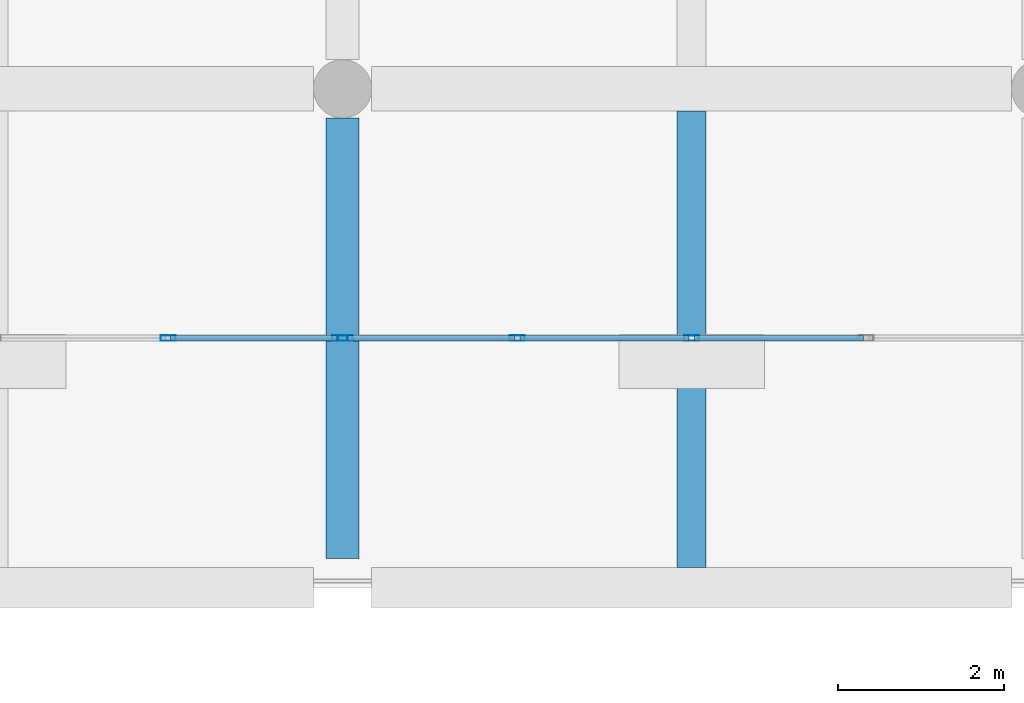
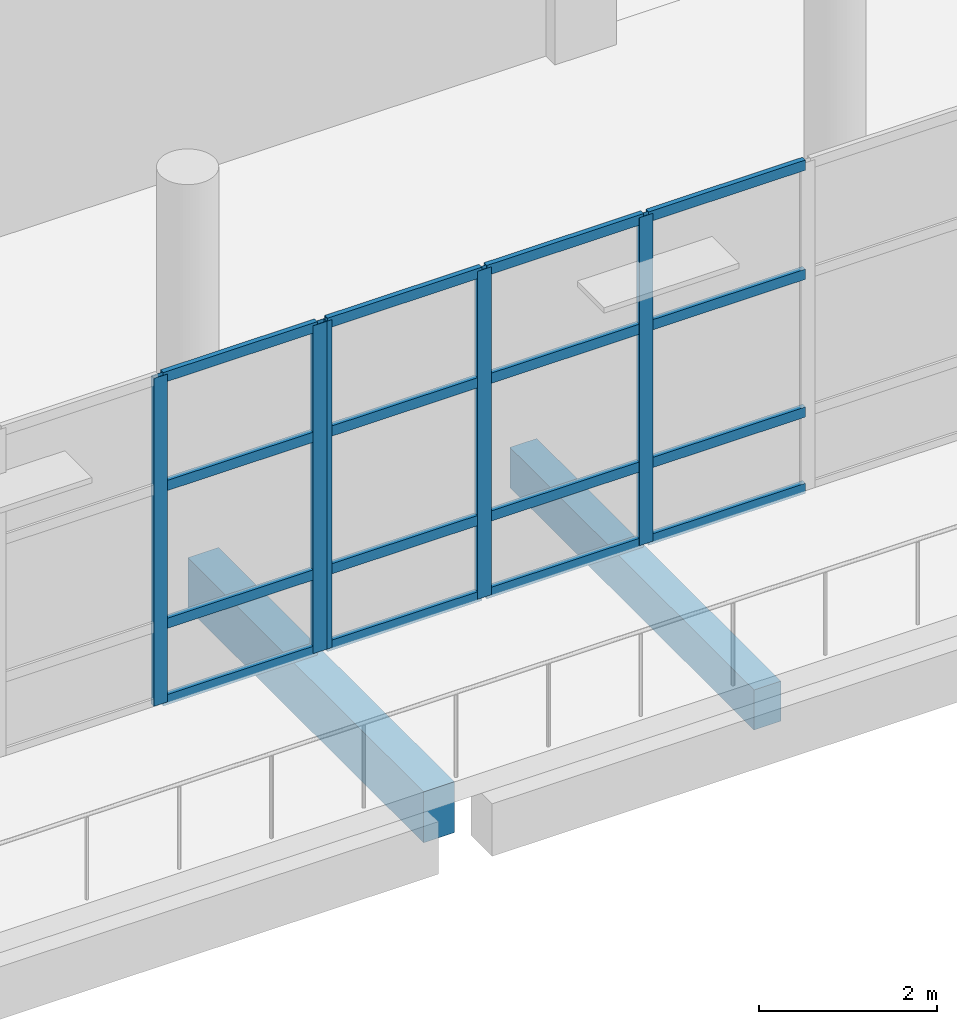
# One storey, part 6 of 79: 21 members, 2 beams, 2 elements without a shape of their own.
"""IFC4 building model written with IfcOpenShell, lengths in metres."""

from ifc_helpers import new_model, si_unit, direction, frame, origin, origin_2d, place, context, subcontext, project, spatial, rectangle, hollow_rectangle, extrude, material, material_profile, profile_set, type_object, element, aggregate, save


model = new_model("IFC4")

# Units and contexts
model_context = context("Model", 3, precision=1e-05, world=origin(), true_north=direction((0.0, 1.0)))
body_context = subcontext(model_context, "Body", "Model", "MODEL_VIEW")
ifc_project = project(units=[si_unit("LENGTHUNIT", "METRE"), si_unit("AREAUNIT", "SQUARE_METRE"), si_unit("VOLUMEUNIT", "CUBIC_METRE"), si_unit("PLANEANGLEUNIT", "RADIAN"), si_unit("MASSUNIT", "GRAM", prefix="KILO")], contexts=[model_context])

# Site, building, storey
site_placement = place(None, origin())
site = spatial("IfcSite", under=ifc_project, at=site_placement, CompositionType="ELEMENT")
building_placement = place(site_placement, origin())
building = spatial("IfcBuilding", under=site, at=building_placement, Name="Pellamere Symphony Hall", CompositionType="ELEMENT")
storey_placement = place(building_placement, frame((0.0, 0.0, 10.199951171875)))
storey = spatial("IfcBuildingStorey", under=building, at=storey_placement, Name="L02", CompositionType="ELEMENT", Elevation=10.199951171875)

# Curtain wall, members
ifc_material_1 = material(Name="Thermally Broken Anodised Aluminium 6063-T6 Curtain Wall", Category="aluminium")
curtain_wall_type = type_object("IfcCurtainWallType", Name="Curtain Wall CW-02 (Winter-Garden South Concourse Curtain Wall)", PredefinedType="NOTDEFINED", material=ifc_material_1)
curtain_wall_1_placement = place(storey_placement, origin())
curtain_wall_1 = element("IfcCurtainWall", 1, at=curtain_wall_1_placement, inside=storey, type_object=curtain_wall_type, Name="Winter-Garden South Curtain Wall (L02 Bay 1)", PredefinedType="NOTDEFINED")
ifc_material_2 = material(Name="Anodised Architectural Aluminium 6063-T6", Category="aluminium")
ifc_material_profile_1 = material_profile(ifc_material_2, hollow_rectangle(XDim=0.06494140625, YDim=0.179931640625, WallThickness=0.00390625, at=origin_2d()), Name="ALU-M65X180X4")
ifc_profile_set_1 = profile_set([ifc_material_profile_1], Name="Anodised Architectural Aluminium 6063-T6")
member_type_1 = type_object("IfcMemberType", Name="Curtain Wall Mullion ML-02 ALU-M65X180X4", PredefinedType="MULLION", material=ifc_profile_set_1)
member_1_placement = place(storey_placement, frame((48.300048828125, 21.0, 0.0), z_axis=(0.0, 0.0, 1.0), x_axis=(0.0, 1.0, 0.0)))
member_1 = element("IfcMember", 2, at=member_1_placement, type_object=member_type_1, Name="CW2-077 crystal mullion 4", PredefinedType="MULLION", context=body_context, shape_type="SweptSolid", body=[
    extrude(hollow_rectangle(XDim=0.06494140625, YDim=0.179931640625, WallThickness=0.00390625, at=origin_2d()), origin(), (0.0, 0.0, 1.0), 4.5),
])
member_2_placement = place(storey_placement, frame((50.367431640625, 21.0, 0.0), z_axis=(0.0, 0.0, 1.0), x_axis=(0.0, 1.0, 0.0)))
member_2 = element("IfcMember", 3, at=member_2_placement, type_object=member_type_1, Name="CW2-077 crystal mullion 5", PredefinedType="MULLION", context=body_context, shape_type="SweptSolid", body=[
    extrude(hollow_rectangle(XDim=0.06494140625, YDim=0.179931640625, WallThickness=0.00390625, at=origin_2d()), origin(), (0.0, 0.0, 1.0), 4.5),
])

curtain_wall_2_placement = place(storey_placement, origin())
curtain_wall_2 = element("IfcCurtainWall", 4, at=curtain_wall_2_placement, inside=storey, type_object=curtain_wall_type, Name="Winter-Garden South Curtain Wall (L02 Bay 2)", PredefinedType="NOTDEFINED")
member_3_placement = place(storey_placement, frame((50.4326171875, 21.0, 0.0), z_axis=(0.0, 0.0, 1.0), x_axis=(0.0, 1.0, 0.0)))
member_3 = element("IfcMember", 5, at=member_3_placement, type_object=member_type_1, Name="CW2-078 crystal mullion 1", PredefinedType="MULLION", context=body_context, shape_type="SweptSolid", body=[
    extrude(hollow_rectangle(XDim=0.06494140625, YDim=0.179931640625, WallThickness=0.00390625, at=origin_2d()), origin(), (0.0, 0.0, 1.0), 4.5),
])
member_4_placement = place(storey_placement, frame((52.5, 21.0, 0.0), z_axis=(0.0, 0.0, 1.0), x_axis=(0.0, 1.0, 0.0)))
member_4 = element("IfcMember", 6, at=member_4_placement, type_object=member_type_1, Name="CW2-078 crystal mullion 2", PredefinedType="MULLION", context=body_context, shape_type="SweptSolid", body=[
    extrude(hollow_rectangle(XDim=0.06494140625, YDim=0.179931640625, WallThickness=0.00390625, at=origin_2d()), origin(), (0.0, 0.0, 1.0), 4.5),
])
member_5_placement = place(storey_placement, frame((54.60009765625, 21.0, 0.0), z_axis=(0.0, 0.0, 1.0), x_axis=(0.0, 1.0, 0.0)))
member_5 = element("IfcMember", 7, at=member_5_placement, type_object=member_type_1, Name="CW2-078 crystal mullion 3", PredefinedType="MULLION", context=body_context, shape_type="SweptSolid", body=[
    extrude(hollow_rectangle(XDim=0.06494140625, YDim=0.179931640625, WallThickness=0.00390625, at=origin_2d()), origin(), (0.0, 0.0, 1.0), 4.5),
])

# Member
ifc_material_profile_2 = material_profile(ifc_material_2, hollow_rectangle(XDim=0.06494140625, YDim=0.139892578125, WallThickness=0.00390625, at=origin_2d()), Name="ALU-T65X140X4")
ifc_profile_set_2 = profile_set([ifc_material_profile_2], Name="Anodised Architectural Aluminium 6063-T6")
member_type_2 = type_object("IfcMemberType", Name="Curtain Wall Transom TR-02 ALU-T65X140X4", PredefinedType="USERDEFINED", material=ifc_profile_set_2)
member_6_placement = place(storey_placement, frame((48.33251953125, 21.0, 0.032470703125), z_axis=(1.0, 0.0, 0.0), x_axis=(0.0, 1.0, 0.0)))
member_6 = element("IfcMember", 8, at=member_6_placement, type_object=member_type_2, Name="CW2-077 crystal transom 4.1", ObjectType="TRANSOM", PredefinedType="USERDEFINED", context=body_context, shape_type="SweptSolid", body=[
    extrude(hollow_rectangle(XDim=0.06494140625, YDim=0.139892578125, WallThickness=0.00390625, at=origin_2d()), origin(), (0.0, 0.0, 1.0), 2.00244140625),
])

member_7_placement = place(storey_placement, frame((48.33251953125, 21.0, 1.080078125), z_axis=(1.0, 0.0, 0.0), x_axis=(0.0, 1.0, 0.0)))
member_7 = element("IfcMember", 9, at=member_7_placement, type_object=member_type_2, Name="CW2-077 crystal transom 4.2", ObjectType="TRANSOM", PredefinedType="USERDEFINED", context=body_context, shape_type="SweptSolid", body=[
    extrude(hollow_rectangle(XDim=0.06494140625, YDim=0.139892578125, WallThickness=0.00390625, at=origin_2d()), origin(), (0.0, 0.0, 1.0), 2.00244140625),
])

member_8_placement = place(storey_placement, frame((48.33251953125, 21.0, 2.969970703125), z_axis=(1.0, 0.0, 0.0), x_axis=(0.0, 1.0, 0.0)))
member_8 = element("IfcMember", 10, at=member_8_placement, type_object=member_type_2, Name="CW2-077 crystal transom 4.3", ObjectType="TRANSOM", PredefinedType="USERDEFINED", context=body_context, shape_type="SweptSolid", body=[
    extrude(hollow_rectangle(XDim=0.06494140625, YDim=0.139892578125, WallThickness=0.00390625, at=origin_2d()), origin(), (0.0, 0.0, 1.0), 2.00244140625),
])

member_9_placement = place(storey_placement, frame((48.33251953125, 21.0, 4.467529296875), z_axis=(1.0, 0.0, 0.0), x_axis=(0.0, 1.0, 0.0)))
member_9 = element("IfcMember", 11, at=member_9_placement, type_object=member_type_2, Name="CW2-077 crystal transom 4.4", ObjectType="TRANSOM", PredefinedType="USERDEFINED", context=body_context, shape_type="SweptSolid", body=[
    extrude(hollow_rectangle(XDim=0.06494140625, YDim=0.139892578125, WallThickness=0.00390625, at=origin_2d()), origin(), (0.0, 0.0, 1.0), 2.00244140625),
])

aggregate(curtain_wall_1, [member_1, member_2, member_6, member_7, member_8, member_9])

member_10_placement = place(storey_placement, frame((50.465087890625, 21.0, 0.032470703125), z_axis=(1.0, 0.0, 0.0), x_axis=(0.0, 1.0, 0.0)))
member_10 = element("IfcMember", 12, at=member_10_placement, type_object=member_type_2, Name="CW2-078 crystal transom 1.1", ObjectType="TRANSOM", PredefinedType="USERDEFINED", context=body_context, shape_type="SweptSolid", body=[
    extrude(hollow_rectangle(XDim=0.06494140625, YDim=0.139892578125, WallThickness=0.00390625, at=origin_2d()), origin(), (0.0, 0.0, 1.0), 2.00244140625),
])

member_11_placement = place(storey_placement, frame((50.465087890625, 21.0, 1.080078125), z_axis=(1.0, 0.0, 0.0), x_axis=(0.0, 1.0, 0.0)))
member_11 = element("IfcMember", 13, at=member_11_placement, type_object=member_type_2, Name="CW2-078 crystal transom 1.2", ObjectType="TRANSOM", PredefinedType="USERDEFINED", context=body_context, shape_type="SweptSolid", body=[
    extrude(hollow_rectangle(XDim=0.06494140625, YDim=0.139892578125, WallThickness=0.00390625, at=origin_2d()), origin(), (0.0, 0.0, 1.0), 2.00244140625),
])

member_12_placement = place(storey_placement, frame((50.465087890625, 21.0, 2.969970703125), z_axis=(1.0, 0.0, 0.0), x_axis=(0.0, 1.0, 0.0)))
member_12 = element("IfcMember", 14, at=member_12_placement, type_object=member_type_2, Name="CW2-078 crystal transom 1.3", ObjectType="TRANSOM", PredefinedType="USERDEFINED", context=body_context, shape_type="SweptSolid", body=[
    extrude(hollow_rectangle(XDim=0.06494140625, YDim=0.139892578125, WallThickness=0.00390625, at=origin_2d()), origin(), (0.0, 0.0, 1.0), 2.00244140625),
])

member_13_placement = place(storey_placement, frame((50.465087890625, 21.0, 4.467529296875), z_axis=(1.0, 0.0, 0.0), x_axis=(0.0, 1.0, 0.0)))
member_13 = element("IfcMember", 15, at=member_13_placement, type_object=member_type_2, Name="CW2-078 crystal transom 1.4", ObjectType="TRANSOM", PredefinedType="USERDEFINED", context=body_context, shape_type="SweptSolid", body=[
    extrude(hollow_rectangle(XDim=0.06494140625, YDim=0.139892578125, WallThickness=0.00390625, at=origin_2d()), origin(), (0.0, 0.0, 1.0), 2.00244140625),
])

member_14_placement = place(storey_placement, frame((52.532470703125, 21.0, 0.032470703125), z_axis=(1.0, 0.0, 0.0), x_axis=(0.0, 1.0, 0.0)))
member_14 = element("IfcMember", 16, at=member_14_placement, type_object=member_type_2, Name="CW2-078 crystal transom 2.1", ObjectType="TRANSOM", PredefinedType="USERDEFINED", context=body_context, shape_type="SweptSolid", body=[
    extrude(hollow_rectangle(XDim=0.06494140625, YDim=0.139892578125, WallThickness=0.00390625, at=origin_2d()), origin(), (0.0, 0.0, 1.0), 2.034912109375),
])

member_15_placement = place(storey_placement, frame((52.532470703125, 21.0, 1.080078125), z_axis=(1.0, 0.0, 0.0), x_axis=(0.0, 1.0, 0.0)))
member_15 = element("IfcMember", 17, at=member_15_placement, type_object=member_type_2, Name="CW2-078 crystal transom 2.2", ObjectType="TRANSOM", PredefinedType="USERDEFINED", context=body_context, shape_type="SweptSolid", body=[
    extrude(hollow_rectangle(XDim=0.06494140625, YDim=0.139892578125, WallThickness=0.00390625, at=origin_2d()), origin(), (0.0, 0.0, 1.0), 2.034912109375),
])

member_16_placement = place(storey_placement, frame((52.532470703125, 21.0, 2.969970703125), z_axis=(1.0, 0.0, 0.0), x_axis=(0.0, 1.0, 0.0)))
member_16 = element("IfcMember", 18, at=member_16_placement, type_object=member_type_2, Name="CW2-078 crystal transom 2.3", ObjectType="TRANSOM", PredefinedType="USERDEFINED", context=body_context, shape_type="SweptSolid", body=[
    extrude(hollow_rectangle(XDim=0.06494140625, YDim=0.139892578125, WallThickness=0.00390625, at=origin_2d()), origin(), (0.0, 0.0, 1.0), 2.034912109375),
])

member_17_placement = place(storey_placement, frame((52.532470703125, 21.0, 4.467529296875), z_axis=(1.0, 0.0, 0.0), x_axis=(0.0, 1.0, 0.0)))
member_17 = element("IfcMember", 19, at=member_17_placement, type_object=member_type_2, Name="CW2-078 crystal transom 2.4", ObjectType="TRANSOM", PredefinedType="USERDEFINED", context=body_context, shape_type="SweptSolid", body=[
    extrude(hollow_rectangle(XDim=0.06494140625, YDim=0.139892578125, WallThickness=0.00390625, at=origin_2d()), origin(), (0.0, 0.0, 1.0), 2.034912109375),
])

member_18_placement = place(storey_placement, frame((54.632568359375, 21.0, 0.032470703125), z_axis=(1.0, 0.0, 0.0), x_axis=(0.0, 1.0, 0.0)))
member_18 = element("IfcMember", 20, at=member_18_placement, type_object=member_type_2, Name="CW2-078 crystal transom 3.1", ObjectType="TRANSOM", PredefinedType="USERDEFINED", context=body_context, shape_type="SweptSolid", body=[
    extrude(hollow_rectangle(XDim=0.06494140625, YDim=0.139892578125, WallThickness=0.00390625, at=origin_2d()), origin(), (0.0, 0.0, 1.0), 2.034912109375),
])

member_19_placement = place(storey_placement, frame((54.632568359375, 21.0, 1.080078125), z_axis=(1.0, 0.0, 0.0), x_axis=(0.0, 1.0, 0.0)))
member_19 = element("IfcMember", 21, at=member_19_placement, type_object=member_type_2, Name="CW2-078 crystal transom 3.2", ObjectType="TRANSOM", PredefinedType="USERDEFINED", context=body_context, shape_type="SweptSolid", body=[
    extrude(hollow_rectangle(XDim=0.06494140625, YDim=0.139892578125, WallThickness=0.00390625, at=origin_2d()), origin(), (0.0, 0.0, 1.0), 2.034912109375),
])

member_20_placement = place(storey_placement, frame((54.632568359375, 21.0, 2.969970703125), z_axis=(1.0, 0.0, 0.0), x_axis=(0.0, 1.0, 0.0)))
member_20 = element("IfcMember", 22, at=member_20_placement, type_object=member_type_2, Name="CW2-078 crystal transom 3.3", ObjectType="TRANSOM", PredefinedType="USERDEFINED", context=body_context, shape_type="SweptSolid", body=[
    extrude(hollow_rectangle(XDim=0.06494140625, YDim=0.139892578125, WallThickness=0.00390625, at=origin_2d()), origin(), (0.0, 0.0, 1.0), 2.034912109375),
])

member_21_placement = place(storey_placement, frame((54.632568359375, 21.0, 4.467529296875), z_axis=(1.0, 0.0, 0.0), x_axis=(0.0, 1.0, 0.0)))
member_21 = element("IfcMember", 23, at=member_21_placement, type_object=member_type_2, Name="CW2-078 crystal transom 3.4", ObjectType="TRANSOM", PredefinedType="USERDEFINED", context=body_context, shape_type="SweptSolid", body=[
    extrude(hollow_rectangle(XDim=0.06494140625, YDim=0.139892578125, WallThickness=0.00390625, at=origin_2d()), origin(), (0.0, 0.0, 1.0), 2.034912109375),
])

aggregate(curtain_wall_2, [member_3, member_4, member_5, member_10, member_11, member_12, member_13, member_14, member_15, member_16, member_17, member_18, member_19, member_20, member_21])

# Beams
ifc_material_3 = material(Name="Concrete 35 MPa", Category="concrete")
ifc_material_profile_3 = material_profile(ifc_material_3, rectangle(XDim=0.35009765625, YDim=0.550048828125, at=origin_2d()), Name="RC 350x550")
ifc_profile_set_3 = profile_set([ifc_material_profile_3], Name="Concrete 35 MPa")
beam_type_1 = type_object("IfcBeamType", Name="RC CB-10 350x550", PredefinedType="BEAM", material=ifc_profile_set_3)
beam_1_placement = place(storey_placement, frame((54.60009765625, 18.239990234375, -0.570068359375), z_axis=(0.0, 1.0, 0.0), x_axis=(-1.0, 0.0, 0.0)))
element("IfcBeam", 24, at=beam_1_placement, inside=storey, type_object=beam_type_1, Name="Secondary Floor Beam CB-10-M0602 (L02)", PredefinedType="BEAM", context=body_context, shape_type="SweptSolid", body=[
    extrude(rectangle(XDim=0.35009765625, YDim=0.550048828125, at=origin_2d()), origin(), (0.0, 0.0, 1.0), 5.489990234375),
])
ifc_material_4 = material(Name="Concrete 40 MPa", Category="concrete")
ifc_material_profile_4 = material_profile(ifc_material_4, rectangle(XDim=0.39990234375, YDim=0.699951171875, at=origin_2d()), Name="RC 400x700")
ifc_profile_set_4 = profile_set([ifc_material_profile_4], Name="Concrete 40 MPa")
beam_type_2 = type_object("IfcBeamType", Name="RC CB-13 400x700", PredefinedType="SPANDREL", material=ifc_profile_set_4)
beam_2_placement = place(storey_placement, frame((50.39990234375, 18.35009765625, -0.6298828125), z_axis=(0.0, 1.0, 0.0), x_axis=(-1.0, 0.0, 0.0)))
element("IfcBeam", 25, at=beam_2_placement, inside=storey, type_object=beam_type_2, Name="Girder CB-13-Y1249 (L02)", PredefinedType="SPANDREL", context=body_context, shape_type="SweptSolid", body=[
    extrude(rectangle(XDim=0.39990234375, YDim=0.699951171875, at=origin_2d()), origin(), (0.0, 0.0, 1.0), 5.2998046875),
])

save(model, "model.ifc")
